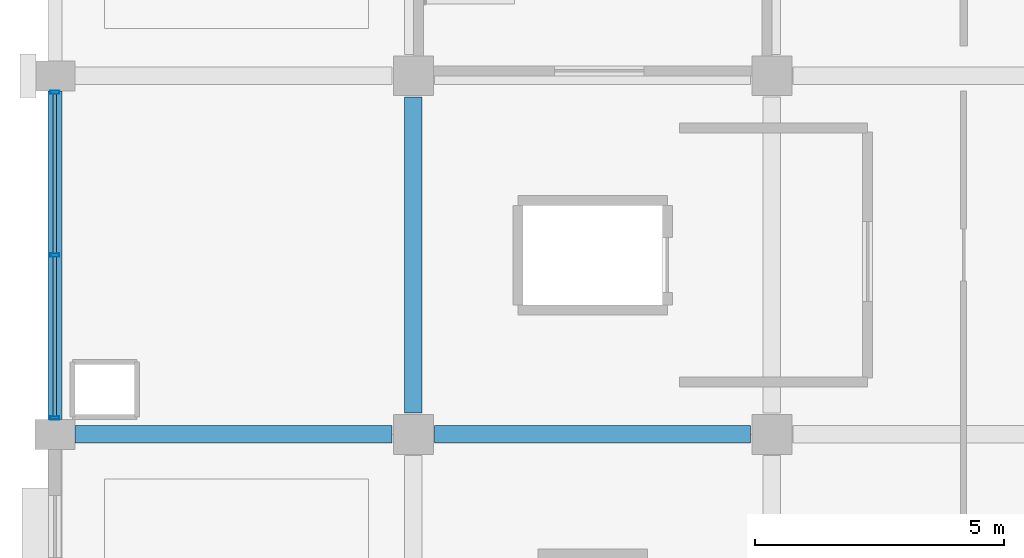
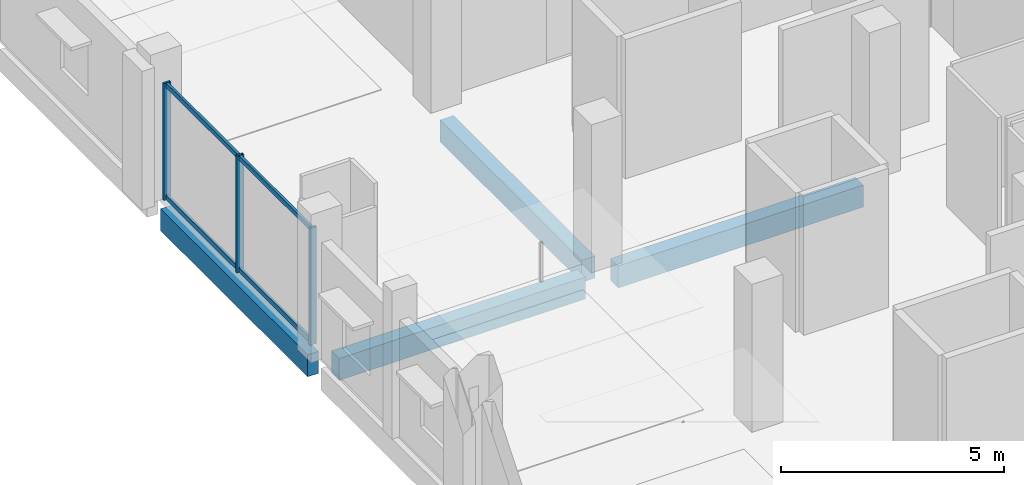
# One storey, part 7 of 108: 7 members, 4 beams, 1 element without a shape of its own.
"""IFC4 building model written with IfcOpenShell, lengths in metres."""

import ifcopenshell
import ifcopenshell.guid

model = None  # the IFC model being written
_history = None  # IfcOwnerHistory: only IFC2X3 demands one
_inside = {}  # id of a spatial element -> (the spatial element, [elements in it])
_under = {}  # id of a project, library or spatial element -> (it, [spatial elements below it])
_declared = {}  # id of a project -> (the project, [libraries it declares])
_typed = {}  # id of a type object -> (the type object, [elements of that type])
_made_of = {}  # id of a material, layer set ... -> (it, [elements and type objects made of it])


def new_model(schema):
    """Start an empty IFC model of exactly this schema.

    Asked for "IFC4X3", IfcOpenShell would pick the latest addendum, in which some entities
    have other attributes; the version numbers below select the first issue.
    IFC2X3 requires an IfcOwnerHistory on every rooted entity: one is made here for all.
    """
    global model, _history
    if schema == "IFC4X3":
        model = ifcopenshell.file(schema_version=(4, 3, 0, 0))
    else:
        model = ifcopenshell.file(schema=schema)
    _inside.clear()
    _under.clear()
    _declared.clear()
    _typed.clear()
    _made_of.clear()
    _history = None
    if model.schema == "IFC2X3":
        org = make("IfcOrganization", Name="unknown")
        user = make(
            "IfcPersonAndOrganization",
            ThePerson=make("IfcPerson", FamilyName="unknown"),
            TheOrganization=org,
        )
        app = make(
            "IfcApplication",
            ApplicationDeveloper=org,
            Version="unknown",
            ApplicationFullName="unknown",
            ApplicationIdentifier="unknown",
        )
        _history = make(
            "IfcOwnerHistory",
            OwningUser=user,
            OwningApplication=app,
            ChangeAction="ADDED",
            CreationDate=0,
        )
    return model


def make(cls, **values):
    """One entity of the class cls with the attributes given. An attribute that is None is left unset."""
    return model.create_entity(
        cls, **{name: value for name, value in values.items() if value is not None}
    )


def rooted(cls, **values):
    """An entity with a GlobalId (a new one), such as an element, a storey or a relation."""
    return make(cls, GlobalId=ifcopenshell.guid.new(), OwnerHistory=_history, **values)


def si_unit(unit_type, name, prefix=None):
    """IfcSIUnit, for example si_unit("LENGTHUNIT", "METRE", prefix="MILLI")."""
    return make("IfcSIUnit", UnitType=unit_type, Prefix=prefix, Name=name)


def assignment(units):
    """IfcUnitAssignment: the units of a project."""
    return None if units is None else make("IfcUnitAssignment", Units=units)


def point(xyz):
    """IfcCartesianPoint."""
    return None if xyz is None else make("IfcCartesianPoint", Coordinates=xyz)


def direction(xyz):
    """IfcDirection."""
    return None if xyz is None else make("IfcDirection", DirectionRatios=xyz)


def frame(location, z_axis=None, x_axis=None):
    """IfcAxis2Placement3D, a coordinate frame: its origin and axes. An axis left out is left unset."""
    return make(
        "IfcAxis2Placement3D",
        Location=point(location),
        Axis=direction(z_axis),
        RefDirection=direction(x_axis),
    )


def frame_2d(location, x_axis=None):
    """IfcAxis2Placement2D, a coordinate frame in the plane: its origin and x axis."""
    return make(
        "IfcAxis2Placement2D", Location=point(location), RefDirection=direction(x_axis)
    )


def origin():
    """The frame at (0, 0, 0) with its axes left unset."""
    return frame((0.0, 0.0, 0.0))


def origin_2d():
    """The frame at (0, 0) in the plane with its x axis left unset."""
    return frame_2d((0.0, 0.0))


def place(relative_to, where):
    """IfcLocalPlacement: puts the frame where relative to a parent placement (None: the world)."""
    return make(
        "IfcLocalPlacement", PlacementRelTo=relative_to, RelativePlacement=where
    )


def context(
    kind, dimensions, precision=None, world=None, true_north=None, identifier=None
):
    """IfcGeometricRepresentationContext, for example the 3D "Model" context."""
    return make(
        "IfcGeometricRepresentationContext",
        ContextIdentifier=identifier,
        ContextType=kind,
        CoordinateSpaceDimension=dimensions,
        Precision=precision,
        WorldCoordinateSystem=world,
        TrueNorth=true_north,
    )


def subcontext(parent, identifier, kind, view, scale=None):
    """IfcGeometricRepresentationSubContext, for example "Body" below "Model"."""
    return make(
        "IfcGeometricRepresentationSubContext",
        ContextIdentifier=identifier,
        ContextType=kind,
        ParentContext=parent,
        TargetScale=scale,
        TargetView=view,
    )


def project(units=None, contexts=None):
    """IfcProject with its units and contexts."""
    return rooted(
        "IfcProject",
        Name="project",
        RepresentationContexts=contexts,
        UnitsInContext=assignment(units),
    )


def spatial(cls, under=None, at=None, **own):
    """A site, building, storey or space (cls), placed at a placement, below another one or the project."""
    s = rooted(cls, ObjectPlacement=at, **own)
    if under is not None:
        _under.setdefault(under.id(), (under, []))[1].append(s)
    return s


def profile(cls, at=None, kind="AREA", **sizes):
    """A parametric profile (cls). Its sizes go by their IFC names, for example OverallWidth=200.0."""
    return make(cls, ProfileType=kind, Position=at, **sizes)


def rectangle(**sizes):
    """IfcRectangleProfileDef."""
    return profile("IfcRectangleProfileDef", **sizes)


def hollow_rectangle(**sizes):
    """IfcRectangleHollowProfileDef."""
    return profile("IfcRectangleHollowProfileDef", **sizes)


def extrude(swept, where, along, depth):
    """IfcExtrudedAreaSolid: the profile swept, set in the frame where, extruded along a direction by depth."""
    return make(
        "IfcExtrudedAreaSolid",
        SweptArea=swept,
        Position=where,
        ExtrudedDirection=direction(along),
        Depth=depth,
    )


def shape(context_of_items, identifier, shape_type, items):
    """IfcShapeRepresentation: the items that make up one representation, for example the "Body"."""
    return make(
        "IfcShapeRepresentation",
        ContextOfItems=context_of_items,
        RepresentationIdentifier=identifier,
        RepresentationType=shape_type,
        Items=items,
    )


def material(Name=None, Category=None):
    """IfcMaterial."""
    return make("IfcMaterial", Name=Name, Category=Category)


def layer(
    of_material, thickness, ventilated=None, Name=None, Category=None, Priority=None
):
    """IfcMaterialLayer: one layer of a wall or slab, of a material (None: an air gap)."""
    return make(
        "IfcMaterialLayer",
        Material=of_material,
        LayerThickness=thickness,
        IsVentilated=ventilated,
        Name=Name,
        Category=Category,
        Priority=Priority,
    )


def layer_set(layers, Name=None):
    """IfcMaterialLayerSet."""
    return make("IfcMaterialLayerSet", MaterialLayers=layers, LayerSetName=Name)


def material_profile(
    of_material, cross_section, Name=None, Category=None, Priority=None
):
    """IfcMaterialProfile: a cross section and its material."""
    return make(
        "IfcMaterialProfile",
        Name=Name,
        Material=of_material,
        Profile=cross_section,
        Priority=Priority,
        Category=Category,
    )


def profile_set(profiles, Name=None, composite=None):
    """IfcMaterialProfileSet."""
    return make(
        "IfcMaterialProfileSet",
        Name=Name,
        MaterialProfiles=profiles,
        CompositeProfile=composite,
    )


def made_of(thing, what):
    """Note that an element or type object is made of a material, layer set ...; save() writes the relation."""
    if what is not None:
        _made_of.setdefault(what.id(), (what, []))[1].append(thing)
    return thing


def type_object(cls, material=None, **own):
    """A type object (cls), such as IfcWallType, which elements share."""
    return made_of(rooted(cls, **own), material)


def element(
    cls,
    number,
    at=None,
    inside=None,
    cuts=None,
    type_object=None,
    material=None,
    context=None,
    identifier="Body",
    shape_type=None,
    held_by="IfcProductDefinitionShape",
    body=None,
    shapes=None,
    **own,
):
    """One element of the class cls, such as IfcWall. Its Tag is "e" and its number.

    at: its placement. inside: the storey or other place that contains it. cuts: it is an
    opening in that element (IfcRelVoidsElement). A single representation is given by context,
    identifier, shape_type and body (its items); several are given by shapes. held_by: the class
    of the entity that holds the representations. save() writes the other relations.
    """
    e = rooted(cls, Tag="e%d" % number, ObjectPlacement=at, **own)
    if body is not None:
        shapes = [shape(context, identifier, shape_type, body)]
    if shapes is not None:
        e.Representation = make(held_by, Representations=shapes)
    if inside is not None:
        _inside.setdefault(inside.id(), (inside, []))[1].append(e)
    if cuts is not None:
        rooted(
            "IfcRelVoidsElement", RelatingBuildingElement=cuts, RelatedOpeningElement=e
        )
    if type_object is not None:
        _typed.setdefault(type_object.id(), (type_object, []))[1].append(e)
    return made_of(e, material)


def aggregate(whole, parts):
    """IfcRelAggregates: a whole, such as a stair, and the parts it consists of."""
    return rooted("IfcRelAggregates", RelatingObject=whole, RelatedObjects=parts)


def save(model, path):
    """Write the relations noted so far, then the file.

    IfcRelAggregates (storeys below a building ...), IfcRelContainedInSpatialStructure (elements
    in a storey), IfcRelDefinesByType, IfcRelAssociatesMaterial and IfcRelDeclares: one each for
    every whole, place, type object, material and project.
    """
    for whole, parts in _under.values():
        aggregate(whole, parts)
    for where, things in _inside.values():
        rooted(
            "IfcRelContainedInSpatialStructure",
            RelatedElements=things,
            RelatingStructure=where,
        )
    for kind, things in _typed.values():
        rooted("IfcRelDefinesByType", RelatedObjects=things, RelatingType=kind)
    for what, things in _made_of.values():
        rooted("IfcRelAssociatesMaterial", RelatedObjects=things, RelatingMaterial=what)
    for by, libraries in _declared.values():
        rooted("IfcRelDeclares", RelatingContext=by, RelatedDefinitions=libraries)
    model.write(path)


model = new_model("IFC4")

# Units and contexts
model_context = context("Model", 3, precision=1e-05, world=origin(), true_north=direction((0.0, 1.0)))
body_context = subcontext(model_context, "Body", "Model", "MODEL_VIEW")
ifc_project = project(units=[si_unit("LENGTHUNIT", "METRE"), si_unit("AREAUNIT", "SQUARE_METRE"), si_unit("VOLUMEUNIT", "CUBIC_METRE"), si_unit("PLANEANGLEUNIT", "RADIAN"), si_unit("MASSUNIT", "GRAM", prefix="KILO")], contexts=[model_context])

# Site, building, storey
site_placement = place(None, origin())
site = spatial("IfcSite", under=ifc_project, at=site_placement, CompositionType="ELEMENT")
building_placement = place(site_placement, origin())
building = spatial("IfcBuilding", under=site, at=building_placement, Name="Kangsadwip Square Police Headquarters", CompositionType="ELEMENT")
storey_placement = place(building_placement, frame((0.0, 0.0, 9.449951171875)))
storey = spatial("IfcBuildingStorey", under=building, at=storey_placement, Name="L02", CompositionType="ELEMENT", Elevation=9.449951171875)

# Curtain wall, members
ifc_material_1 = material(Name="Thermally broken anodised aluminium AW-6063-T6", Category="aluminium")
ifc_layer = layer(ifc_material_1, 0.159912109375)
ifc_layer_set = layer_set([ifc_layer], Name="Thermally broken anodised aluminium AW-6063-T6")
curtain_wall_type = type_object("IfcCurtainWallType", Name="UnitisedCw6610x3200", PredefinedType="NOTDEFINED", material=ifc_layer_set)
curtain_wall_placement = place(storey_placement, origin())
curtain_wall = element("IfcCurtainWall", 1, at=curtain_wall_placement, inside=storey, type_object=curtain_wall_type, Name="Curtain Wall CW-L02-0000-0651", PredefinedType="NOTDEFINED")
ifc_material_2 = material(Name="Thermally broken anodised aluminium AW-6063-T6", Category="aluminium")
ifc_material_profile_1 = material_profile(ifc_material_2, hollow_rectangle(XDim=0.06494140625, YDim=0.179931640625, WallThickness=0.00390625, at=origin_2d()), Name="CWM 180X65X4")
ifc_profile_set_1 = profile_set([ifc_material_profile_1], Name="Thermally broken anodised aluminium AW-6063-T6")
member_type_1 = type_object("IfcMemberType", Name="CwMullion160x65", PredefinedType="MULLION", material=ifc_profile_set_1)
member_1_placement = place(storey_placement, frame((0.0, 65.12744140625, 0.0), z_axis=(0.0, 0.0, 1.0), x_axis=(0.0, 1.0, 0.0)))
member_1 = element("IfcMember", 2, at=member_1_placement, type_object=member_type_1, Name="CW-28 mullion 1", PredefinedType="MULLION", context=body_context, shape_type="SweptSolid", body=[
    extrude(hollow_rectangle(XDim=0.06494140625, YDim=0.179931640625, WallThickness=0.00390625, at=origin_2d()), origin(), (0.0, 0.0, 1.0), 3.199951171875),
])
member_2_placement = place(storey_placement, frame((0.0, 68.39990234375, 0.0), z_axis=(0.0, 0.0, 1.0), x_axis=(0.0, 1.0, 0.0)))
member_2 = element("IfcMember", 3, at=member_2_placement, type_object=member_type_1, Name="CW-28 mullion 2", PredefinedType="MULLION", context=body_context, shape_type="SweptSolid", body=[
    extrude(hollow_rectangle(XDim=0.06494140625, YDim=0.179931640625, WallThickness=0.00390625, at=origin_2d()), origin(), (0.0, 0.0, 1.0), 3.199951171875),
])
member_3_placement = place(storey_placement, frame((0.0, 71.672607421875, 0.0), z_axis=(0.0, 0.0, 1.0), x_axis=(0.0, 1.0, 0.0)))
member_3 = element("IfcMember", 4, at=member_3_placement, type_object=member_type_1, Name="CW-28 mullion 3", PredefinedType="MULLION", context=body_context, shape_type="SweptSolid", body=[
    extrude(hollow_rectangle(XDim=0.06494140625, YDim=0.179931640625, WallThickness=0.00390625, at=origin_2d()), origin(), (0.0, 0.0, 1.0), 3.199951171875),
])
ifc_material_3 = material(Name="Thermally broken anodised aluminium AW-6063-T6", Category="aluminium")
ifc_material_profile_2 = material_profile(ifc_material_3, hollow_rectangle(XDim=0.06494140625, YDim=0.1298828125, WallThickness=0.00390625, at=origin_2d()), Name="CWT 130X65X4")
ifc_profile_set_2 = profile_set([ifc_material_profile_2], Name="Thermally broken anodised aluminium AW-6063-T6")
member_type_2 = type_object("IfcMemberType", Name="CwTransom140x60", PredefinedType="USERDEFINED", material=ifc_profile_set_2)
member_4_placement = place(storey_placement, frame((0.0, 65.159912109375, 0.06494140625), z_axis=(0.0, 1.0, 0.0), x_axis=(-1.0, 0.0, 0.0)))
member_4 = element("IfcMember", 5, at=member_4_placement, type_object=member_type_2, Name="CW-28 transom 1.1", ObjectType="TRANSOM", PredefinedType="USERDEFINED", context=body_context, shape_type="SweptSolid", body=[
    extrude(hollow_rectangle(XDim=0.06494140625, YDim=0.1298828125, WallThickness=0.00390625, at=origin_2d()), origin(), (0.0, 0.0, 1.0), 3.20751953125),
])
member_5_placement = place(storey_placement, frame((0.0, 65.159912109375, 3.135009765625), z_axis=(0.0, 1.0, 0.0), x_axis=(-1.0, 0.0, 0.0)))
member_5 = element("IfcMember", 6, at=member_5_placement, type_object=member_type_2, Name="CW-28 transom 1.2", ObjectType="TRANSOM", PredefinedType="USERDEFINED", context=body_context, shape_type="SweptSolid", body=[
    extrude(hollow_rectangle(XDim=0.06494140625, YDim=0.1298828125, WallThickness=0.00390625, at=origin_2d()), origin(), (0.0, 0.0, 1.0), 3.20751953125),
])
member_6_placement = place(storey_placement, frame((0.0, 68.4326171875, 0.06494140625), z_axis=(0.0, 1.0, 0.0), x_axis=(-1.0, 0.0, 0.0)))
member_6 = element("IfcMember", 7, at=member_6_placement, type_object=member_type_2, Name="CW-28 transom 2.1", ObjectType="TRANSOM", PredefinedType="USERDEFINED", context=body_context, shape_type="SweptSolid", body=[
    extrude(hollow_rectangle(XDim=0.06494140625, YDim=0.1298828125, WallThickness=0.00390625, at=origin_2d()), origin(), (0.0, 0.0, 1.0), 3.207275390625),
])
member_7_placement = place(storey_placement, frame((0.0, 68.4326171875, 3.135009765625), z_axis=(0.0, 1.0, 0.0), x_axis=(-1.0, 0.0, 0.0)))
member_7 = element("IfcMember", 8, at=member_7_placement, type_object=member_type_2, Name="CW-28 transom 2.2", ObjectType="TRANSOM", PredefinedType="USERDEFINED", context=body_context, shape_type="SweptSolid", body=[
    extrude(hollow_rectangle(XDim=0.06494140625, YDim=0.1298828125, WallThickness=0.00390625, at=origin_2d()), origin(), (0.0, 0.0, 1.0), 3.207275390625),
])
aggregate(curtain_wall, [member_1, member_2, member_3, member_4, member_5, member_6, member_7])

# Beams
ifc_material_4 = material(Name="Concrete M35 (35 MPa)", Category="concrete")
ifc_material_profile_3 = material_profile(ifc_material_4, rectangle(XDim=0.35009765625, YDim=0.60009765625, at=origin_2d()), Name="RC BM 600X350")
ifc_profile_set_3 = profile_set([ifc_material_profile_3], Name="Concrete M35 (35 MPa)")
beam_type_1 = type_object("IfcBeamType", Name="RcBeam600x350", PredefinedType="BEAM", material=ifc_profile_set_3)
beam_1_placement = place(storey_placement, frame((0.39990234375, 64.800048828125, -0.5400390625), z_axis=(1.0, 0.0, 0.0), x_axis=(0.0, 1.0, 0.0)))
element("IfcBeam", 9, at=beam_1_placement, inside=storey, type_object=beam_type_1, Name="Beam BM-L02-X-00-09", PredefinedType="BEAM", context=body_context, shape_type="SweptSolid", body=[
    extrude(rectangle(XDim=0.35009765625, YDim=0.60009765625, at=origin_2d()), origin(), (0.0, 0.0, 1.0), 6.375),
])
beam_2_placement = place(storey_placement, frame((7.625, 64.800048828125, -0.5400390625), z_axis=(1.0, 0.0, 0.0), x_axis=(0.0, 1.0, 0.0)))
element("IfcBeam", 10, at=beam_2_placement, inside=storey, type_object=beam_type_1, Name="Beam BM-L02-X-01-09", PredefinedType="BEAM", context=body_context, shape_type="SweptSolid", body=[
    extrude(rectangle(XDim=0.35009765625, YDim=0.60009765625, at=origin_2d()), origin(), (0.0, 0.0, 1.0), 6.35009765625),
])
beam_3_placement = place(storey_placement, frame((7.199951171875, 65.22509765625, -0.5400390625), z_axis=(0.0, 1.0, 0.0), x_axis=(-1.0, 0.0, 0.0)))
element("IfcBeam", 11, at=beam_3_placement, inside=storey, type_object=beam_type_1, Name="Beam BM-L02-Y-01-09", PredefinedType="BEAM", context=body_context, shape_type="SweptSolid", body=[
    extrude(rectangle(XDim=0.35009765625, YDim=0.60009765625, at=origin_2d()), origin(), (0.0, 0.0, 1.0), 6.349853515625),
])
ifc_material_5 = material(Name="Concrete M40 (40 MPa)", Category="concrete")
ifc_material_profile_4 = material_profile(ifc_material_5, rectangle(XDim=0.280029296875, YDim=0.60009765625, at=origin_2d()), Name="RC SPN 600X280")
ifc_profile_set_4 = profile_set([ifc_material_profile_4], Name="Concrete M40 (40 MPa)")
beam_type_2 = type_object("IfcBeamType", Name="RcSpandrel600x280", PredefinedType="SPANDREL", material=ifc_profile_set_4)
beam_4_placement = place(storey_placement, frame((0.0, 65.10009765625, -0.5400390625), z_axis=(0.0, 1.0, 0.0), x_axis=(-1.0, 0.0, 0.0)))
element("IfcBeam", 12, at=beam_4_placement, inside=storey, type_object=beam_type_2, Name="Beam BM-L02-Y-00-09", PredefinedType="SPANDREL", context=body_context, shape_type="SweptSolid", body=[
    extrude(rectangle(XDim=0.280029296875, YDim=0.60009765625, at=origin_2d()), origin(), (0.0, 0.0, 1.0), 6.599853515625),
])

save(model, "model.ifc")
